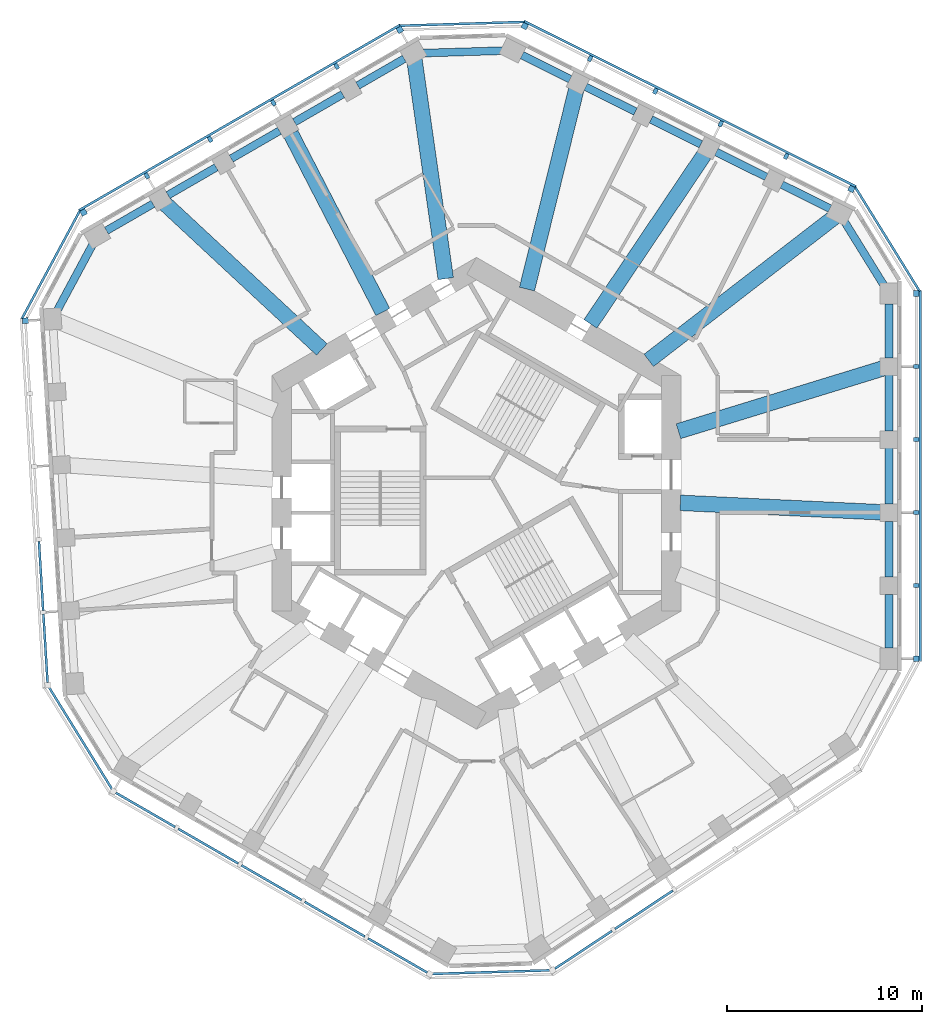
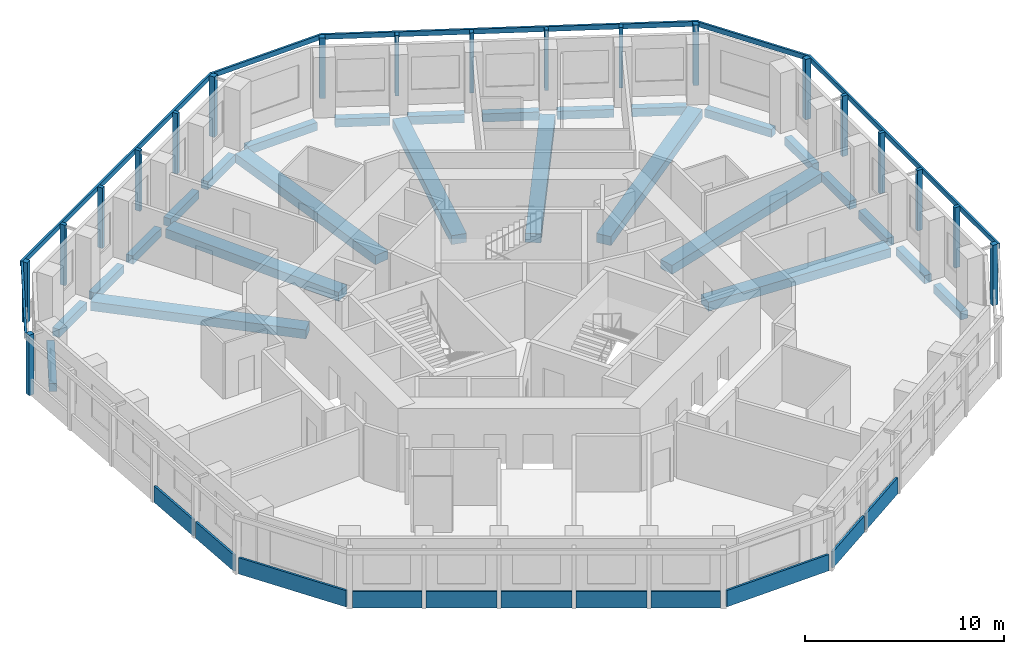
# One storey, part 2 of 11: 26 beams, 25 members, 11 plates, 11 elements without a shape of their own.
"""IFC4 building model written with IfcOpenShell, lengths in metres."""

from ifc_helpers import new_model, si_unit, direction, frame, origin, origin_2d, place, context, subcontext, project, spatial, rectangle, extrude, material, layer, layer_set, material_profile, profile_set, type_object, element, aggregate, save


model = new_model("IFC4")

# Units and contexts
model_context = context("Model", 3, precision=1e-05, world=origin(), true_north=direction((0.0, 1.0)))
body_context = subcontext(model_context, "Body", "Model", "MODEL_VIEW")
ifc_project = project(units=[si_unit("LENGTHUNIT", "METRE"), si_unit("AREAUNIT", "SQUARE_METRE"), si_unit("VOLUMEUNIT", "CUBIC_METRE"), si_unit("PLANEANGLEUNIT", "RADIAN"), si_unit("MASSUNIT", "GRAM", prefix="KILO")], contexts=[model_context])

# Site, building, storey
site_placement = place(None, origin())
site = spatial("IfcSite", under=ifc_project, at=site_placement, CompositionType="ELEMENT")
building_placement = place(site_placement, origin())
building = spatial("IfcBuilding", under=site, at=building_placement, Name="Vanh Sen Convention Tower", CompositionType="ELEMENT")
storey_placement = place(building_placement, frame((0.0, 0.0, 187.300048828125)))
storey = spatial("IfcBuildingStorey", under=building, at=storey_placement, Name="L46", CompositionType="ELEMENT", Elevation=187.300048828125)

# Curtain wall, members
ifc_material_1 = material(Name="Concrete C50/60", Category="concrete")
curtain_wall_type = type_object("IfcCurtainWallType", Name="Outer skin office zone", PredefinedType="NOTDEFINED", material=ifc_material_1)
curtain_wall_1_placement = place(storey_placement, origin())
curtain_wall_1 = element("IfcCurtainWall", 1, at=curtain_wall_1_placement, inside=storey, type_object=curtain_wall_type, Name="OUTER SKIN E L46", PredefinedType="NOTDEFINED")
ifc_material_profile_1 = material_profile(ifc_material_1, rectangle(XDim=0.300048828125, YDim=0.300048828125, at=origin_2d()), Name="Outer skin precast corner fin 300 x 300")
ifc_profile_set_1 = profile_set([ifc_material_profile_1], Name="Concrete C50/60")
member_type_1 = type_object("IfcMemberType", Name="Outer skin precast corner fin 300 x 300", PredefinedType="MULLION", material=ifc_profile_set_1)
member_1_placement = place(storey_placement, frame((22.60009765625, -8.5009765625, 0.0), z_axis=(0.0, 0.0, 1.0), x_axis=(0.0, 1.0, 0.0)))
member_1 = element("IfcMember", 2, at=member_1_placement, type_object=member_type_1, Name="OUTER SKIN CORNER FIN 1 E L46", PredefinedType="MULLION", context=body_context, shape_type="SweptSolid", body=[
    extrude(rectangle(XDim=0.300048828125, YDim=0.300048828125, at=origin_2d()), origin(), (0.0, 0.0, 1.0), 3.699951171875),
])
member_2_placement = place(storey_placement, frame((22.60009765625, 10.26953125, 0.0), z_axis=(0.0, 0.0, 1.0), x_axis=(0.0, 1.0, 0.0)))
member_2 = element("IfcMember", 3, at=member_2_placement, type_object=member_type_1, Name="OUTER SKIN CORNER FIN 6 E L46", PredefinedType="MULLION", context=body_context, shape_type="SweptSolid", body=[
    extrude(rectangle(XDim=0.300048828125, YDim=0.300048828125, at=origin_2d()), origin(), (0.0, 0.0, 1.0), 3.699951171875),
])

curtain_wall_2_placement = place(storey_placement, origin())
curtain_wall_2 = element("IfcCurtainWall", 4, at=curtain_wall_2_placement, inside=storey, type_object=curtain_wall_type, Name="OUTER SKIN NE L46", PredefinedType="NOTDEFINED")
member_3_placement = place(storey_placement, frame((19.274658203125, 15.643310546875, 0.0), z_axis=(0.0, 0.0, 1.0), x_axis=(-0.894934361602, 0.44619781311, 0.0)))
member_3 = element("IfcMember", 5, at=member_3_placement, type_object=member_type_1, Name="OUTER SKIN CORNER FIN 1 NE L46", PredefinedType="MULLION", context=body_context, shape_type="SweptSolid", body=[
    extrude(rectangle(XDim=0.300048828125, YDim=0.300048828125, at=origin_2d()), origin(), (0.0, 0.0, 1.0), 3.699951171875),
])
member_4_placement = place(storey_placement, frame((2.476318359375, 24.0185546875, 0.0), z_axis=(0.0, 0.0, 1.0), x_axis=(-0.894934361602, 0.44619781311, 0.0)))
member_4 = element("IfcMember", 6, at=member_4_placement, type_object=member_type_1, Name="OUTER SKIN CORNER FIN 6 NE L46", PredefinedType="MULLION", context=body_context, shape_type="SweptSolid", body=[
    extrude(rectangle(XDim=0.300048828125, YDim=0.300048828125, at=origin_2d()), origin(), (0.0, 0.0, 1.0), 3.699951171875),
])

curtain_wall_3_placement = place(storey_placement, origin())
curtain_wall_3 = element("IfcCurtainWall", 7, at=curtain_wall_3_placement, inside=storey, type_object=curtain_wall_type, Name="OUTER SKIN NW L46", PredefinedType="NOTDEFINED")
member_5_placement = place(storey_placement, frame((-3.93798828125, 23.822509765625, 0.0), z_axis=(0.0, 0.0, 1.0), x_axis=(-0.866025403784, -0.5, 0.0)))
member_5 = element("IfcMember", 8, at=member_5_placement, type_object=member_type_1, Name="OUTER SKIN CORNER FIN 1 NW L46", PredefinedType="MULLION", context=body_context, shape_type="SweptSolid", body=[
    extrude(rectangle(XDim=0.300048828125, YDim=0.300048828125, at=origin_2d()), origin(), (0.0, 0.0, 1.0), 3.699951171875),
])
member_6_placement = place(storey_placement, frame((-20.193603515625, 14.4375, 0.0), z_axis=(0.0, 0.0, 1.0), x_axis=(-0.866025403784, -0.5, 0.0)))
member_6 = element("IfcMember", 9, at=member_6_placement, type_object=member_type_1, Name="OUTER SKIN CORNER FIN 6 NW L46", PredefinedType="MULLION", context=body_context, shape_type="SweptSolid", body=[
    extrude(rectangle(XDim=0.300048828125, YDim=0.300048828125, at=origin_2d()), origin(), (0.0, 0.0, 1.0), 3.699951171875),
])

# Curtain wall, member
curtain_wall_4_placement = place(storey_placement, origin())
curtain_wall_4 = element("IfcCurtainWall", 10, at=curtain_wall_4_placement, inside=storey, type_object=curtain_wall_type, Name="OUTER SKIN W L46", PredefinedType="NOTDEFINED")
member_7_placement = place(storey_placement, frame((-23.184814453125, 8.87060546875, 0.0), z_axis=(0.0, 0.0, 1.0), x_axis=(0.061048539535, -0.998134798422, 0.0)))
member_7 = element("IfcMember", 11, at=member_7_placement, type_object=member_type_1, Name="OUTER SKIN CORNER FIN 1 W L46", PredefinedType="MULLION", context=body_context, shape_type="SweptSolid", body=[
    extrude(rectangle(XDim=0.300048828125, YDim=0.300048828125, at=origin_2d()), origin(), (0.0, 0.0, 1.0), 3.699951171875),
])

# Member
ifc_material_profile_2 = material_profile(ifc_material_1, rectangle(XDim=0.199951171875, YDim=0.300048828125, at=origin_2d()), Name="Outer skin precast fin 200 x 300")
ifc_profile_set_2 = profile_set([ifc_material_profile_2], Name="Concrete C50/60")
member_type_2 = type_object("IfcMemberType", Name="Outer skin precast fin 200 x 300", PredefinedType="MULLION", material=ifc_profile_set_2)
member_8_placement = place(storey_placement, frame((22.60009765625, -4.746826171875, 0.0), z_axis=(0.0, 0.0, 1.0), x_axis=(0.0, 1.0, 0.0)))
member_8 = element("IfcMember", 12, at=member_8_placement, type_object=member_type_2, Name="OUTER SKIN fin 2 E L46", PredefinedType="MULLION", context=body_context, shape_type="SweptSolid", body=[
    extrude(rectangle(XDim=0.199951171875, YDim=0.300048828125, at=origin_2d()), origin(), (0.0, 0.0, 1.0), 3.699951171875),
])

member_9_placement = place(storey_placement, frame((22.60009765625, -0.992919921875, 0.0), z_axis=(0.0, 0.0, 1.0), x_axis=(0.0, 1.0, 0.0)))
member_9 = element("IfcMember", 13, at=member_9_placement, type_object=member_type_2, Name="OUTER SKIN fin 3 E L46", PredefinedType="MULLION", context=body_context, shape_type="SweptSolid", body=[
    extrude(rectangle(XDim=0.199951171875, YDim=0.300048828125, at=origin_2d()), origin(), (0.0, 0.0, 1.0), 3.699951171875),
])

member_10_placement = place(storey_placement, frame((22.60009765625, 2.76123046875, 0.0), z_axis=(0.0, 0.0, 1.0), x_axis=(0.0, 1.0, 0.0)))
member_10 = element("IfcMember", 14, at=member_10_placement, type_object=member_type_2, Name="OUTER SKIN fin 4 E L46", PredefinedType="MULLION", context=body_context, shape_type="SweptSolid", body=[
    extrude(rectangle(XDim=0.199951171875, YDim=0.300048828125, at=origin_2d()), origin(), (0.0, 0.0, 1.0), 3.699951171875),
])

member_11_placement = place(storey_placement, frame((22.60009765625, 6.515380859375, 0.0), z_axis=(0.0, 0.0, 1.0), x_axis=(0.0, 1.0, 0.0)))
member_11 = element("IfcMember", 15, at=member_11_placement, type_object=member_type_2, Name="OUTER SKIN fin 5 E L46", PredefinedType="MULLION", context=body_context, shape_type="SweptSolid", body=[
    extrude(rectangle(XDim=0.199951171875, YDim=0.300048828125, at=origin_2d()), origin(), (0.0, 0.0, 1.0), 3.699951171875),
])

member_12_placement = place(storey_placement, frame((15.9150390625, 17.318359375, 0.0), z_axis=(0.0, 0.0, 1.0), x_axis=(-0.894934361602, 0.44619781311, 0.0)))
member_12 = element("IfcMember", 16, at=member_12_placement, type_object=member_type_2, Name="OUTER SKIN fin 2 NE L46", PredefinedType="MULLION", context=body_context, shape_type="SweptSolid", body=[
    extrude(rectangle(XDim=0.199951171875, YDim=0.300048828125, at=origin_2d()), origin(), (0.0, 0.0, 1.0), 3.699951171875),
])

member_13_placement = place(storey_placement, frame((12.555419921875, 18.993408203125, 0.0), z_axis=(0.0, 0.0, 1.0), x_axis=(-0.894934361602, 0.44619781311, 0.0)))
member_13 = element("IfcMember", 17, at=member_13_placement, type_object=member_type_2, Name="OUTER SKIN fin 3 NE L46", PredefinedType="MULLION", context=body_context, shape_type="SweptSolid", body=[
    extrude(rectangle(XDim=0.199951171875, YDim=0.300048828125, at=origin_2d()), origin(), (0.0, 0.0, 1.0), 3.699951171875),
])

member_14_placement = place(storey_placement, frame((9.195556640625, 20.66845703125, 0.0), z_axis=(0.0, 0.0, 1.0), x_axis=(-0.894934361602, 0.44619781311, 0.0)))
member_14 = element("IfcMember", 18, at=member_14_placement, type_object=member_type_2, Name="OUTER SKIN fin 4 NE L46", PredefinedType="MULLION", context=body_context, shape_type="SweptSolid", body=[
    extrude(rectangle(XDim=0.199951171875, YDim=0.300048828125, at=origin_2d()), origin(), (0.0, 0.0, 1.0), 3.699951171875),
])

member_15_placement = place(storey_placement, frame((5.8359375, 22.343505859375, 0.0), z_axis=(0.0, 0.0, 1.0), x_axis=(-0.894934361602, 0.44619781311, 0.0)))
member_15 = element("IfcMember", 19, at=member_15_placement, type_object=member_type_2, Name="OUTER SKIN fin 5 NE L46", PredefinedType="MULLION", context=body_context, shape_type="SweptSolid", body=[
    extrude(rectangle(XDim=0.199951171875, YDim=0.300048828125, at=origin_2d()), origin(), (0.0, 0.0, 1.0), 3.699951171875),
])

member_16_placement = place(storey_placement, frame((-7.189208984375, 21.945556640625, 0.0), z_axis=(0.0, 0.0, 1.0), x_axis=(-0.866025403784, -0.5, 0.0)))
member_16 = element("IfcMember", 20, at=member_16_placement, type_object=member_type_2, Name="OUTER SKIN fin 2 NW L46", PredefinedType="MULLION", context=body_context, shape_type="SweptSolid", body=[
    extrude(rectangle(XDim=0.199951171875, YDim=0.300048828125, at=origin_2d()), origin(), (0.0, 0.0, 1.0), 3.699951171875),
])

member_17_placement = place(storey_placement, frame((-10.440185546875, 20.068603515625, 0.0), z_axis=(0.0, 0.0, 1.0), x_axis=(-0.866025403784, -0.5, 0.0)))
member_17 = element("IfcMember", 21, at=member_17_placement, type_object=member_type_2, Name="OUTER SKIN fin 3 NW L46", PredefinedType="MULLION", context=body_context, shape_type="SweptSolid", body=[
    extrude(rectangle(XDim=0.199951171875, YDim=0.300048828125, at=origin_2d()), origin(), (0.0, 0.0, 1.0), 3.699951171875),
])

member_18_placement = place(storey_placement, frame((-13.69140625, 18.19140625, 0.0), z_axis=(0.0, 0.0, 1.0), x_axis=(-0.866025403784, -0.5, 0.0)))
member_18 = element("IfcMember", 22, at=member_18_placement, type_object=member_type_2, Name="OUTER SKIN fin 4 NW L46", PredefinedType="MULLION", context=body_context, shape_type="SweptSolid", body=[
    extrude(rectangle(XDim=0.199951171875, YDim=0.300048828125, at=origin_2d()), origin(), (0.0, 0.0, 1.0), 3.699951171875),
])

member_19_placement = place(storey_placement, frame((-16.9423828125, 16.314453125, 0.0), z_axis=(0.0, 0.0, 1.0), x_axis=(-0.866025403784, -0.5, 0.0)))
member_19 = element("IfcMember", 23, at=member_19_placement, type_object=member_type_2, Name="OUTER SKIN fin 5 NW L46", PredefinedType="MULLION", context=body_context, shape_type="SweptSolid", body=[
    extrude(rectangle(XDim=0.199951171875, YDim=0.300048828125, at=origin_2d()), origin(), (0.0, 0.0, 1.0), 3.699951171875),
])

ifc_material_profile_3 = material_profile(ifc_material_1, rectangle(XDim=0.1201171875, YDim=0.300048828125, at=origin_2d()), Name="Outer skin precast spandrel band 300 x 120")
ifc_profile_set_3 = profile_set([ifc_material_profile_3], Name="Concrete C50/60")
member_type_3 = type_object("IfcMemberType", Name="Outer skin precast spandrel band 300 x 120", PredefinedType="USERDEFINED", material=ifc_profile_set_3)
member_20_placement = place(storey_placement, frame((22.81005859375, -8.65087890625, 3.550048828125), z_axis=(0.0, 1.0, 0.0), x_axis=(-1.0, 0.0, 0.0)))
member_20 = element("IfcMember", 24, at=member_20_placement, type_object=member_type_3, Name="OUTER SKIN spandrel band E L46", ObjectType="TRANSOM", PredefinedType="USERDEFINED", context=body_context, shape_type="SweptSolid", body=[
    extrude(rectangle(XDim=0.1201171875, YDim=0.300048828125, at=origin_2d()), origin(), (0.0, 0.0, 1.0), 19.0703125),
])

aggregate(curtain_wall_1, [member_1, member_8, member_9, member_10, member_11, member_2, member_20])

# Curtain wall, member
curtain_wall_5_placement = place(storey_placement, origin())
curtain_wall_5 = element("IfcCurtainWall", 25, at=curtain_wall_5_placement, inside=storey, type_object=curtain_wall_type, Name="OUTER SKIN CH1 L46", PredefinedType="NOTDEFINED")
member_21_placement = place(storey_placement, frame((22.778564453125, 10.3798828125, 3.550048828125), z_axis=(-0.526173726926, 0.850377098171, 0.0), x_axis=(-0.850377098171, -0.526173726926, 0.0)))
member_21 = element("IfcMember", 26, at=member_21_placement, type_object=member_type_3, Name="OUTER SKIN spandrel band CH1 L46", ObjectType="TRANSOM", PredefinedType="USERDEFINED", context=body_context, shape_type="SweptSolid", body=[
    extrude(rectangle(XDim=0.1201171875, YDim=0.300048828125, at=origin_2d()), origin(), (0.0, 0.0, 1.0), 6.319580078125),
])
aggregate(curtain_wall_5, [member_21])

# Member
member_22_placement = place(storey_placement, frame((19.502685546875, 15.764404296875, 3.550048828125), z_axis=(-0.894941234474, 0.446184027996, 0.0), x_axis=(-0.446184027996, -0.894941234474, 0.0)))
member_22 = element("IfcMember", 27, at=member_22_placement, type_object=member_type_3, Name="OUTER SKIN spandrel band NE L46", ObjectType="TRANSOM", PredefinedType="USERDEFINED", context=body_context, shape_type="SweptSolid", body=[
    extrude(rectangle(XDim=0.1201171875, YDim=0.300048828125, at=origin_2d()), origin(), (0.0, 0.0, 1.0), 19.07080078125),
])

aggregate(curtain_wall_2, [member_3, member_12, member_13, member_14, member_15, member_4, member_22])

# Curtain wall, member
curtain_wall_6_placement = place(storey_placement, origin())
curtain_wall_6 = element("IfcCurtainWall", 28, at=curtain_wall_6_placement, inside=storey, type_object=curtain_wall_type, Name="OUTER SKIN CH2 L46", PredefinedType="NOTDEFINED")
member_23_placement = place(storey_placement, frame((2.4697265625, 24.228515625, 3.550048828125), z_axis=(-0.999533221695, -0.030550592913, 0.0), x_axis=(0.030550592913, -0.999533221695, 0.0)))
member_23 = element("IfcMember", 29, at=member_23_placement, type_object=member_type_3, Name="OUTER SKIN spandrel band CH2 L46", ObjectType="TRANSOM", PredefinedType="USERDEFINED", context=body_context, shape_type="SweptSolid", body=[
    extrude(rectangle(XDim=0.1201171875, YDim=0.300048828125, at=origin_2d()), origin(), (0.0, 0.0, 1.0), 6.4169921875),
])
aggregate(curtain_wall_6, [member_23])

# Member
member_24_placement = place(storey_placement, frame((-3.9130859375, 24.07958984375, 3.550048828125), z_axis=(-0.866023136587, -0.500003926881, 0.0), x_axis=(0.500003926881, -0.866023136587, 0.0)))
member_24 = element("IfcMember", 30, at=member_24_placement, type_object=member_type_3, Name="OUTER SKIN spandrel band NW L46", ObjectType="TRANSOM", PredefinedType="USERDEFINED", context=body_context, shape_type="SweptSolid", body=[
    extrude(rectangle(XDim=0.1201171875, YDim=0.300048828125, at=origin_2d()), origin(), (0.0, 0.0, 1.0), 19.070556640625),
])

aggregate(curtain_wall_3, [member_5, member_16, member_17, member_18, member_19, member_6, member_24])

# Curtain wall, member
curtain_wall_7_placement = place(storey_placement, origin())
curtain_wall_7 = element("IfcCurtainWall", 31, at=curtain_wall_7_placement, inside=storey, type_object=curtain_wall_type, Name="OUTER SKIN CH3 L46", PredefinedType="NOTDEFINED")
member_25_placement = place(storey_placement, frame((-20.378662109375, 14.536865234375, 3.550048828125), z_axis=(-0.47333707755, -0.880881383057, 0.0), x_axis=(0.880881383057, -0.47333707755, 0.0)))
member_25 = element("IfcMember", 32, at=member_25_placement, type_object=member_type_3, Name="OUTER SKIN spandrel band CH3 L46", ObjectType="TRANSOM", PredefinedType="USERDEFINED", context=body_context, shape_type="SweptSolid", body=[
    extrude(rectangle(XDim=0.1201171875, YDim=0.300048828125, at=origin_2d()), origin(), (0.0, 0.0, 1.0), 6.3193359375),
])
aggregate(curtain_wall_7, [member_25])

# Beams
ifc_material_2 = material(Name="Concrete C50/60", Category="concrete")
ifc_material_profile_4 = material_profile(ifc_material_2, rectangle(XDim=0.800048828125, YDim=0.550048828125, at=origin_2d()), Name="RC 800X550")
ifc_profile_set_4 = profile_set([ifc_material_profile_4], Name="Concrete C50/60")
beam_type_1 = type_object("IfcBeamType", Name="Radial floor beam 800 x 550", PredefinedType="BEAM", material=ifc_profile_set_4)
beam_1_placement = place(storey_placement, frame((20.773681640625, -0.972900390625, -0.554931640625), z_axis=(-0.998904385593, 0.046797739721, 0.0), x_axis=(-0.046797739721, -0.998904385593, 0.0)))
element("IfcBeam", 33, at=beam_1_placement, inside=storey, type_object=beam_type_1, Name="Radial beam 02 L46", PredefinedType="BEAM", context=body_context, shape_type="SweptSolid", body=[
    extrude(rectangle(XDim=0.800048828125, YDim=0.550048828125, at=origin_2d()), origin(), (0.0, 0.0, 1.0), 10.30859375),
])
beam_2_placement = place(storey_placement, frame((20.984619140625, 6.44921875, -0.554931640625), z_axis=(-0.955877901986, -0.293764253264, 0.0), x_axis=(0.293764253264, -0.955877901986, 0.0)))
element("IfcBeam", 34, at=beam_2_placement, inside=storey, type_object=beam_type_1, Name="Radial beam 03 L46", PredefinedType="BEAM", context=body_context, shape_type="SweptSolid", body=[
    extrude(rectangle(XDim=0.800048828125, YDim=0.550048828125, at=origin_2d()), origin(), (0.0, 0.0, 1.0), 11.096435546875),
])
beam_3_placement = place(storey_placement, frame((18.41162109375, 14.206298828125, -0.554931640625), z_axis=(-0.791722449679, -0.610880972591, 0.0), x_axis=(0.610880972591, -0.791722449679, 0.0)))
element("IfcBeam", 35, at=beam_3_placement, inside=storey, type_object=beam_type_1, Name="Radial beam 04 L46", PredefinedType="BEAM", context=body_context, shape_type="SweptSolid", body=[
    extrude(rectangle(XDim=0.800048828125, YDim=0.550048828125, at=origin_2d()), origin(), (0.0, 0.0, 1.0), 12.072021484375),
])
beam_4_placement = place(storey_placement, frame((11.709228515625, 17.411376953125, -0.554931640625), z_axis=(-0.55804705103, -0.829809308719, 0.0), x_axis=(0.829809308719, -0.55804705103, 0.0)))
element("IfcBeam", 36, at=beam_4_placement, inside=storey, type_object=beam_type_1, Name="Radial beam 05 L46", PredefinedType="BEAM", context=body_context, shape_type="SweptSolid", body=[
    extrude(rectangle(XDim=0.800048828125, YDim=0.550048828125, at=origin_2d()), origin(), (0.0, 0.0, 1.0), 10.490234375),
])
beam_5_placement = place(storey_placement, frame((5.14697265625, 20.83056640625, -0.554931640625), z_axis=(-0.239880379488, -0.970802453405, 0.0), x_axis=(0.970802453405, -0.239880379488, 0.0)))
element("IfcBeam", 37, at=beam_5_placement, inside=storey, type_object=beam_type_1, Name="Radial beam 06 L46", PredefinedType="BEAM", context=body_context, shape_type="SweptSolid", body=[
    extrude(rectangle(XDim=0.800048828125, YDim=0.550048828125, at=origin_2d()), origin(), (0.0, 0.0, 1.0), 10.647705078125),
])
beam_6_placement = place(storey_placement, frame((-3.192626953125, 22.2939453125, -0.554931640625), z_axis=(0.141775948022, -0.989898772887, 0.0), x_axis=(0.989898772887, 0.141775948022, 0.0)))
element("IfcBeam", 38, at=beam_6_placement, inside=storey, type_object=beam_type_1, Name="Radial beam 07 L46", PredefinedType="BEAM", context=body_context, shape_type="SweptSolid", body=[
    extrude(rectangle(XDim=0.800048828125, YDim=0.550048828125, at=origin_2d()), origin(), (0.0, 0.0, 1.0), 11.3740234375),
])
beam_7_placement = place(storey_placement, frame((-9.544189453125, 18.476806640625, -0.554931640625), z_axis=(0.458940914306, -0.888466790137, 0.0), x_axis=(0.888466790137, 0.458940914306, 0.0)))
element("IfcBeam", 39, at=beam_7_placement, inside=storey, type_object=beam_type_1, Name="Radial beam 08 L46", PredefinedType="BEAM", context=body_context, shape_type="SweptSolid", body=[
    extrude(rectangle(XDim=0.800048828125, YDim=0.550048828125, at=origin_2d()), origin(), (0.0, 0.0, 1.0), 10.308349609375),
])
beam_8_placement = place(storey_placement, frame((-16.077392578125, 14.948486328125, -0.554931640625), z_axis=(0.732348237662, -0.680930289232, 0.0), x_axis=(0.680930289232, 0.732348237662, 0.0)))
element("IfcBeam", 40, at=beam_8_placement, inside=storey, type_object=beam_type_1, Name="Radial beam 09 L46", PredefinedType="BEAM", context=body_context, shape_type="SweptSolid", body=[
    extrude(rectangle(XDim=0.800048828125, YDim=0.550048828125, at=origin_2d()), origin(), (0.0, 0.0, 1.0), 11.096435546875),
])
ifc_material_profile_5 = material_profile(ifc_material_2, rectangle(XDim=0.39990234375, YDim=0.5, at=origin_2d()), Name="RC 400X500")
ifc_profile_set_5 = profile_set([ifc_material_profile_5], Name="Concrete C50/60")
beam_type_2 = type_object("IfcBeamType", Name="Spandrel beam 400 x 500", PredefinedType="SPANDREL", material=ifc_profile_set_5)
beam_9_placement = place(storey_placement, frame((21.199951171875, -7.9560546875, -0.530029296875), z_axis=(0.0, 1.0, 0.0), x_axis=(-1.0, 0.0, 0.0)))
element("IfcBeam", 41, at=beam_9_placement, inside=storey, type_object=beam_type_2, Name="Spandrel beam 01 L46", PredefinedType="SPANDREL", context=body_context, shape_type="SweptSolid", body=[
    extrude(rectangle(XDim=0.39990234375, YDim=0.5, at=origin_2d()), origin(), (0.0, 0.0, 1.0), 2.76416015625),
])
for number, where, z_axis, x_axis, name in (
    (42, (21.199951171875, -4.302001953125, -0.530029296875), (0.0, 1.0, 0.0), (-1.0, 0.0, 0.0), "Spandrel beam 02 L46"),
    (43, (21.199951171875, -0.5478515625, -0.530029296875), (0.0, 1.0, 0.0), (-1.0, 0.0, 0.0), "Spandrel beam 03 L46"),
):
    element("IfcBeam", number, at=place(storey_placement, frame(where, z_axis=z_axis, x_axis=x_axis)), inside=storey, type_object=beam_type_2, Name=name, PredefinedType="SPANDREL", context=body_context, shape_type="SweptSolid", body=[
        extrude(rectangle(XDim=0.39990234375, YDim=0.5, at=origin_2d()), origin(), (0.0, 0.0, 1.0), 2.8642578125),
    ])
beam_10_placement = place(storey_placement, frame((21.199951171875, 3.206298828125, -0.530029296875), z_axis=(0.0, 1.0, 0.0), x_axis=(-1.0, 0.0, 0.0)))
element("IfcBeam", 44, at=beam_10_placement, inside=storey, type_object=beam_type_2, Name="Spandrel beam 04 L46", PredefinedType="SPANDREL", context=body_context, shape_type="SweptSolid", body=[
    extrude(rectangle(XDim=0.39990234375, YDim=0.5, at=origin_2d()), origin(), (0.0, 0.0, 1.0), 2.864013671875),
])
beam_11_placement = place(storey_placement, frame((21.199951171875, 6.96044921875, -0.530029296875), z_axis=(0.0, 1.0, 0.0), x_axis=(-1.0, 0.0, 0.0)))
element("IfcBeam", 45, at=beam_11_placement, inside=storey, type_object=beam_type_2, Name="Spandrel beam 05 L46", PredefinedType="SPANDREL", context=body_context, shape_type="SweptSolid", body=[
    extrude(rectangle(XDim=0.39990234375, YDim=0.5, at=origin_2d()), origin(), (0.0, 0.0, 1.0), 2.76416015625),
])
beam_12_placement = place(storey_placement, frame((20.927490234375, 10.7099609375, -0.530029296875), z_axis=(-0.526197985388, 0.850362087686, 0.0), x_axis=(-0.850362087686, -0.526197985388, 0.0)))
element("IfcBeam", 46, at=beam_12_placement, inside=storey, type_object=beam_type_2, Name="Spandrel beam 06 L46", PredefinedType="SPANDREL", context=body_context, shape_type="SweptSolid", body=[
    extrude(rectangle(XDim=0.39990234375, YDim=0.5, at=origin_2d()), origin(), (0.0, 0.0, 1.0), 3.81005859375),
])
beam_13_placement = place(storey_placement, frame((18.162353515625, 14.633544921875, -0.530029296875), z_axis=(-0.894938855842, 0.446188798945, 0.0), x_axis=(-0.446188798945, -0.894938855842, 0.0)))
element("IfcBeam", 47, at=beam_13_placement, inside=storey, type_object=beam_type_2, Name="Spandrel beam 07 L46", PredefinedType="SPANDREL", context=body_context, shape_type="SweptSolid", body=[
    extrude(rectangle(XDim=0.39990234375, YDim=0.5, at=origin_2d()), origin(), (0.0, 0.0, 1.0), 2.764404296875),
])
for number, where, z_axis, x_axis, name in (
    (48, (14.89208984375, 16.263916015625, -0.530029296875), (-0.894921028884, 0.446224553406, 0.0), (-0.446224553406, -0.894921028884, 0.0), "Spandrel beam 08 L46"),
    (49, (11.532470703125, 17.939208984375, -0.530029296875), (-0.894972032358, 0.446122249273, 0.0), (-0.446122249273, -0.894972032358, 0.0), "Spandrel beam 09 L46"),
):
    element("IfcBeam", number, at=place(storey_placement, frame(where, z_axis=z_axis, x_axis=x_axis)), inside=storey, type_object=beam_type_2, Name=name, PredefinedType="SPANDREL", context=body_context, shape_type="SweptSolid", body=[
        extrude(rectangle(XDim=0.39990234375, YDim=0.5, at=origin_2d()), origin(), (0.0, 0.0, 1.0), 2.8642578125),
    ])
beam_14_placement = place(storey_placement, frame((8.172607421875, 19.6142578125, -0.530029296875), z_axis=(-0.89495506643, 0.446156283236, 0.0), x_axis=(-0.446156283236, -0.89495506643, 0.0)))
element("IfcBeam", 50, at=beam_14_placement, inside=storey, type_object=beam_type_2, Name="Spandrel beam 10 L46", PredefinedType="SPANDREL", context=body_context, shape_type="SweptSolid", body=[
    extrude(rectangle(XDim=0.39990234375, YDim=0.5, at=origin_2d()), origin(), (0.0, 0.0, 1.0), 2.864013671875),
])
beam_15_placement = place(storey_placement, frame((4.81298828125, 21.289306640625, -0.530029296875), z_axis=(-0.894974121341, 0.446118058511, 0.0), x_axis=(-0.446118058511, -0.894974121341, 0.0)))
element("IfcBeam", 51, at=beam_15_placement, inside=storey, type_object=beam_type_2, Name="Spandrel beam 11 L46", PredefinedType="SPANDREL", context=body_context, shape_type="SweptSolid", body=[
    extrude(rectangle(XDim=0.39990234375, YDim=0.5, at=origin_2d()), origin(), (0.0, 0.0, 1.0), 2.76416015625),
])
beam_16_placement = place(storey_placement, frame((1.33984375, 22.75, -0.530029296875), z_axis=(-0.999533327508, -0.030547130814, 0.0), x_axis=(0.030547130814, -0.999533327508, 0.0)))
element("IfcBeam", 52, at=beam_16_placement, inside=storey, type_object=beam_type_2, Name="Spandrel beam 12 L46", PredefinedType="SPANDREL", context=body_context, shape_type="SweptSolid", body=[
    extrude(rectangle(XDim=0.39990234375, YDim=0.5, at=origin_2d()), origin(), (0.0, 0.0, 1.0), 4.068115234375),
])
beam_17_placement = place(storey_placement, frame((-3.7099609375, 22.337646484375, -0.530029296875), z_axis=(-0.866060565847, -0.499939092575, 0.0), x_axis=(0.499939092575, -0.866060565847, 0.0)))
element("IfcBeam", 53, at=beam_17_placement, inside=storey, type_object=beam_type_2, Name="Spandrel beam 13 L46", PredefinedType="SPANDREL", context=body_context, shape_type="SweptSolid", body=[
    extrude(rectangle(XDim=0.39990234375, YDim=0.5, at=origin_2d()), origin(), (0.0, 0.0, 1.0), 2.763916015625),
])
for number, where, z_axis, x_axis, name in (
    (54, (-6.87451171875, 20.5107421875, -0.530029296875), (-0.865999615357, -0.500044664207, 0.0), (0.500044664207, -0.865999615357, 0.0), "Spandrel beam 14 L46"),
    (55, (-10.12548828125, 18.633544921875, -0.530029296875), (-0.8660578368, -0.499943820161, 0.0), (0.499943820161, -0.8660578368, 0.0), "Spandrel beam 15 L46"),
):
    element("IfcBeam", number, at=place(storey_placement, frame(where, z_axis=z_axis, x_axis=x_axis)), inside=storey, type_object=beam_type_2, Name=name, PredefinedType="SPANDREL", context=body_context, shape_type="SweptSolid", body=[
        extrude(rectangle(XDim=0.39990234375, YDim=0.5, at=origin_2d()), origin(), (0.0, 0.0, 1.0), 2.864013671875),
    ])
beam_18_placement = place(storey_placement, frame((-13.376708984375, 16.756591796875, -0.530029296875), z_axis=(-0.866020927947, -0.500007752297, 0.0), x_axis=(0.500007752297, -0.866020927947, 0.0)))
element("IfcBeam", 56, at=beam_18_placement, inside=storey, type_object=beam_type_2, Name="Spandrel beam 16 L46", PredefinedType="SPANDREL", context=body_context, shape_type="SweptSolid", body=[
    extrude(rectangle(XDim=0.39990234375, YDim=0.5, at=origin_2d()), origin(), (0.0, 0.0, 1.0), 2.8642578125),
])
beam_19_placement = place(storey_placement, frame((-16.6279296875, 14.87939453125, -0.530029296875), z_axis=(-0.866060565847, -0.499939092575, 0.0), x_axis=(0.499939092575, -0.866060565847, 0.0)))
element("IfcBeam", 57, at=beam_19_placement, inside=storey, type_object=beam_type_2, Name="Spandrel beam 17 L46", PredefinedType="SPANDREL", context=body_context, shape_type="SweptSolid", body=[
    extrude(rectangle(XDim=0.39990234375, YDim=0.5, at=origin_2d()), origin(), (0.0, 0.0, 1.0), 2.763916015625),
])
beam_20_placement = place(storey_placement, frame((-19.739013671875, 12.768798828125, -0.530029296875), z_axis=(-0.473293335868, -0.880904886025, 0.0), x_axis=(0.880904886025, -0.473293335868, 0.0)))
element("IfcBeam", 58, at=beam_20_placement, inside=storey, type_object=beam_type_2, Name="Spandrel beam 18 L46", PredefinedType="SPANDREL", context=body_context, shape_type="SweptSolid", body=[
    extrude(rectangle(XDim=0.39990234375, YDim=0.5, at=origin_2d()), origin(), (0.0, 0.0, 1.0), 3.81005859375),
])

# Plate
ifc_layer = layer(ifc_material_1, 0.1201171875)
ifc_layer_set = layer_set([ifc_layer], Name="Concrete C50/60")
plate_type = type_object("IfcPlateType", Name="Outer skin precast screen panel 120", PredefinedType="CURTAIN_PANEL", material=ifc_layer_set)
plate_1_placement = place(storey_placement, frame((-22.382568359375, -4.244140625, 0.0), z_axis=(0.0, 0.0, 1.0), x_axis=(0.061025892559, -0.998136183312, 0.0)))
plate_1 = element("IfcPlate", 59, at=plate_1_placement, type_object=plate_type, Name="OUTER SKIN screen panel W-4", PredefinedType="CURTAIN_PANEL", context=body_context, shape_type="SweptSolid", body=[
    extrude(rectangle(XDim=3.55419921875, YDim=0.1201171875, at=origin_2d()), origin(), (0.0, 0.0, 1.0), 1.0),
])

plate_2_placement = place(storey_placement, frame((-22.155029296875, -7.96630859375, 0.0), z_axis=(0.0, 0.0, 1.0), x_axis=(0.061053765756, -0.998134478759, 0.0)))
plate_2 = element("IfcPlate", 60, at=plate_2_placement, type_object=plate_type, Name="OUTER SKIN screen panel W-5", PredefinedType="CURTAIN_PANEL", context=body_context, shape_type="SweptSolid", body=[
    extrude(rectangle(XDim=3.504150390625, YDim=0.1201171875, at=origin_2d()), origin(), (0.0, 0.0, 1.0), 1.0),
])

aggregate(curtain_wall_4, [member_7, plate_1, plate_2])

# Curtain wall, plate
curtain_wall_8_placement = place(storey_placement, origin())
curtain_wall_8 = element("IfcCurtainWall", 61, at=curtain_wall_8_placement, inside=storey, type_object=curtain_wall_type, Name="OUTER SKIN CH4 L46", PredefinedType="NOTDEFINED")
plate_3_placement = place(storey_placement, frame((-20.3505859375, -12.59326171875, 0.0), z_axis=(0.0, 0.0, 1.0), x_axis=(0.526218376078, -0.850349469734, 0.0)))
plate_3 = element("IfcPlate", 62, at=plate_3_placement, type_object=plate_type, Name="OUTER SKIN screen panel CH4-1", PredefinedType="CURTAIN_PANEL", context=body_context, shape_type="SweptSolid", body=[
    extrude(rectangle(XDim=6.1171875, YDim=0.1201171875, at=origin_2d()), origin(), (0.0, 0.0, 1.0), 1.0),
])
aggregate(curtain_wall_8, [plate_3])

# Curtain wall, plates
curtain_wall_9_placement = place(storey_placement, origin())
curtain_wall_9 = element("IfcCurtainWall", 63, at=curtain_wall_9_placement, inside=storey, type_object=curtain_wall_type, Name="OUTER SKIN SW L46", PredefinedType="NOTDEFINED")
plate_4_placement = place(storey_placement, frame((-17.014892578125, -16.272705078125, 0.0), z_axis=(0.0, 0.0, 1.0), x_axis=(0.86602365845, -0.500003022996, 0.0)))
plate_4 = element("IfcPlate", 64, at=plate_4_placement, type_object=plate_type, Name="OUTER SKIN screen panel SW-1", PredefinedType="CURTAIN_PANEL", context=body_context, shape_type="SweptSolid", body=[
    extrude(rectangle(XDim=3.504150390625, YDim=0.1201171875, at=origin_2d()), origin(), (0.0, 0.0, 1.0), 1.0),
])
plate_5_placement = place(storey_placement, frame((-13.785400390625, -18.13720703125, 0.0), z_axis=(0.0, 0.0, 1.0), x_axis=(0.866028021766, -0.499995465495, 0.0)))
plate_5 = element("IfcPlate", 65, at=plate_5_placement, type_object=plate_type, Name="OUTER SKIN screen panel SW-2", PredefinedType="CURTAIN_PANEL", context=body_context, shape_type="SweptSolid", body=[
    extrude(rectangle(XDim=3.553955078125, YDim=0.1201171875, at=origin_2d()), origin(), (0.0, 0.0, 1.0), 1.0),
])
plate_6_placement = place(storey_placement, frame((-10.5341796875, -20.014404296875, 0.0), z_axis=(0.0, 0.0, 1.0), x_axis=(0.86602365845, -0.500003022996, 0.0)))
plate_6 = element("IfcPlate", 66, at=plate_6_placement, type_object=plate_type, Name="OUTER SKIN screen panel SW-3", PredefinedType="CURTAIN_PANEL", context=body_context, shape_type="SweptSolid", body=[
    extrude(rectangle(XDim=3.55419921875, YDim=0.1201171875, at=origin_2d()), origin(), (0.0, 0.0, 1.0), 1.0),
])
plate_7_placement = place(storey_placement, frame((-7.283203125, -21.891357421875, 0.0), z_axis=(0.0, 0.0, 1.0), x_axis=(0.866016677006, -0.500015114919, 0.0)))
plate_7 = element("IfcPlate", 67, at=plate_7_placement, type_object=plate_type, Name="OUTER SKIN screen panel SW-4", PredefinedType="CURTAIN_PANEL", context=body_context, shape_type="SweptSolid", body=[
    extrude(rectangle(XDim=3.55419921875, YDim=0.1201171875, at=origin_2d()), origin(), (0.0, 0.0, 1.0), 1.0),
])
plate_8_placement = place(storey_placement, frame((-4.0537109375, -23.755859375, 0.0), z_axis=(0.0, 0.0, 1.0), x_axis=(0.866035002936, -0.499983373414, 0.0)))
plate_8 = element("IfcPlate", 68, at=plate_8_placement, type_object=plate_type, Name="OUTER SKIN screen panel SW-5", PredefinedType="CURTAIN_PANEL", context=body_context, shape_type="SweptSolid", body=[
    extrude(rectangle(XDim=3.504150390625, YDim=0.1201171875, at=origin_2d()), origin(), (0.0, 0.0, 1.0), 1.0),
])
aggregate(curtain_wall_9, [plate_4, plate_5, plate_6, plate_7, plate_8])

# Curtain wall, plate
curtain_wall_10_placement = place(storey_placement, origin())
curtain_wall_10 = element("IfcCurtainWall", 69, at=curtain_wall_10_placement, inside=storey, type_object=curtain_wall_type, Name="OUTER SKIN CH5 L46", PredefinedType="NOTDEFINED")
plate_9_placement = place(storey_placement, frame((0.751953125, -24.6103515625, 0.0), z_axis=(0.0, 0.0, 1.0), x_axis=(0.999533537535, 0.030540257725, 0.0)))
plate_9 = element("IfcPlate", 70, at=plate_9_placement, type_object=plate_type, Name="OUTER SKIN screen panel CH5-1", PredefinedType="CURTAIN_PANEL", context=body_context, shape_type="SweptSolid", body=[
    extrude(rectangle(XDim=6.019287109375, YDim=0.1201171875, at=origin_2d()), origin(), (0.0, 0.0, 1.0), 1.0),
])
aggregate(curtain_wall_10, [plate_9])

# Curtain wall, plates
curtain_wall_11_placement = place(storey_placement, origin())
curtain_wall_11 = element("IfcCurtainWall", 71, at=curtain_wall_11_placement, inside=storey, type_object=curtain_wall_type, Name="OUTER SKIN SE L46", PredefinedType="NOTDEFINED")
plate_10_placement = place(storey_placement, frame((5.49609375, -23.464111328125, 0.0), z_axis=(0.0, 0.0, 1.0), x_axis=(0.833889675294, 0.551931163677, 0.0)))
plate_10 = element("IfcPlate", 72, at=plate_10_placement, type_object=plate_type, Name="OUTER SKIN screen panel SE-1", PredefinedType="CURTAIN_PANEL", context=body_context, shape_type="SweptSolid", body=[
    extrude(rectangle(XDim=3.504150390625, YDim=0.1201171875, at=origin_2d()), origin(), (0.0, 0.0, 1.0), 1.0),
])
plate_11_placement = place(storey_placement, frame((8.60595703125, -21.406005859375, 0.0), z_axis=(0.0, 0.0, 1.0), x_axis=(0.833889675294, 0.551931163677, 0.0)))
plate_11 = element("IfcPlate", 73, at=plate_11_placement, type_object=plate_type, Name="OUTER SKIN screen panel SE-2", PredefinedType="CURTAIN_PANEL", context=body_context, shape_type="SweptSolid", body=[
    extrude(rectangle(XDim=3.55419921875, YDim=0.1201171875, at=origin_2d()), origin(), (0.0, 0.0, 1.0), 1.0),
])
aggregate(curtain_wall_11, [plate_10, plate_11])

save(model, "model.ifc")
